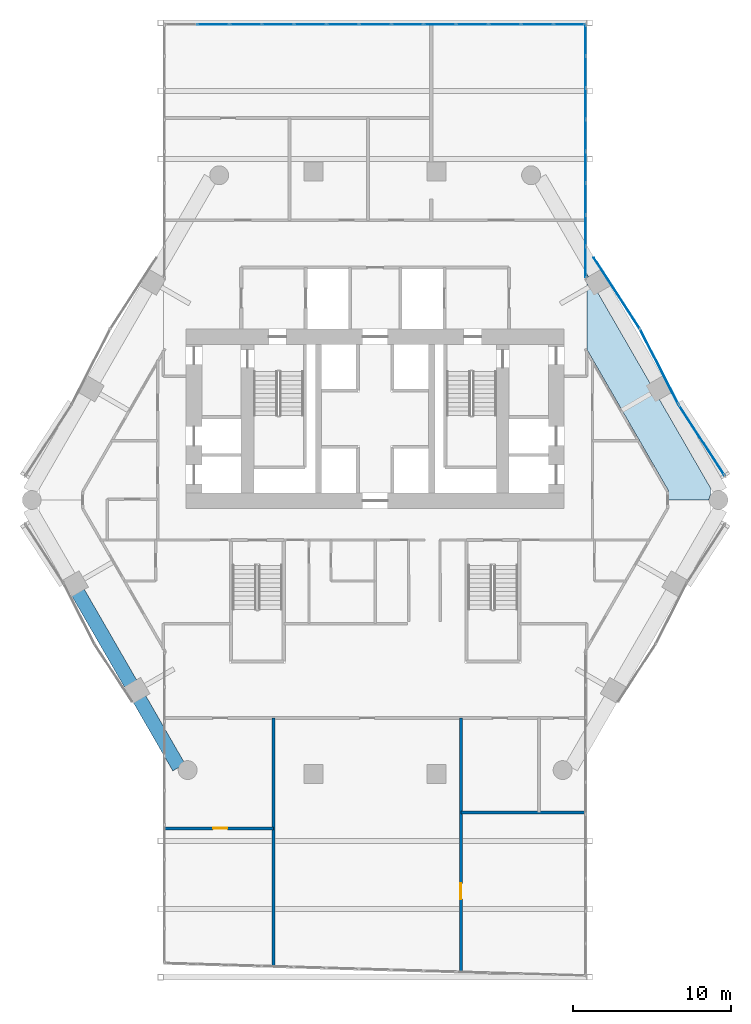
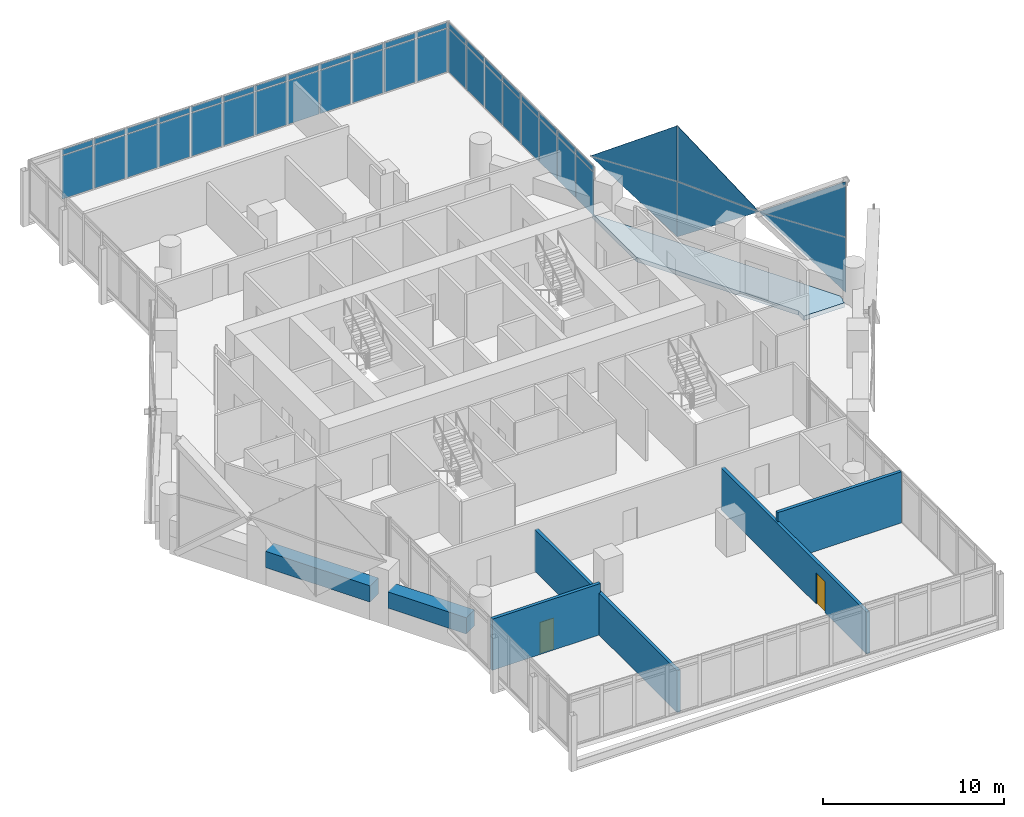
# One storey, part 26 of 36: 46 plates, 6 walls, 2 doors, 1 slab, 2 openings, 6 elements without a shape of their own.
"""IFC4 building model written with IfcOpenShell, lengths in metres."""

from ifc_helpers import new_model, si_unit, direction, frame, frame_2d, origin, origin_2d, place, context, subcontext, project, spatial, polyline, rectangle, outline, extrude, material, layer, layer_set, type_object, element, fill, aggregate, save


model = new_model("IFC4")

# Units and contexts
model_context = context("Model", 3, precision=1e-05, world=origin(), true_north=direction((0.0, 1.0)))
body_context = subcontext(model_context, "Body", "Model", "MODEL_VIEW")
ifc_project = project(units=[si_unit("LENGTHUNIT", "METRE"), si_unit("AREAUNIT", "SQUARE_METRE"), si_unit("VOLUMEUNIT", "CUBIC_METRE"), si_unit("PLANEANGLEUNIT", "RADIAN"), si_unit("MASSUNIT", "GRAM", prefix="KILO")], contexts=[model_context])

# Site, building, storey
site_placement = place(None, origin())
site = spatial("IfcSite", under=ifc_project, at=site_placement, CompositionType="ELEMENT")
building_placement = place(site_placement, origin())
building = spatial("IfcBuilding", under=site, at=building_placement, Name="Ostrander Bayou Hotel Tower", CompositionType="ELEMENT")
storey_placement = place(building_placement, frame((0.0, 0.0, 138.5)))
storey = spatial("IfcBuildingStorey", under=building, at=storey_placement, Name="L34", CompositionType="ELEMENT", Elevation=138.5)

# Curtain wall, plates
ifc_material_1 = material(Name="Aluminium and clear glass", Category="aluminium")
curtain_wall_type_1 = type_object("IfcCurtainWallType", Name="CW-BAR glazed wall", PredefinedType="NOTDEFINED", material=ifc_material_1)
curtain_wall_1_placement = place(storey_placement, origin())
curtain_wall_1 = element("IfcCurtainWall", 1, at=curtain_wall_1_placement, inside=storey, type_object=curtain_wall_type_1, Name="CW-BAR L34:SB3N:T", PredefinedType="NOTDEFINED")
ifc_material_2 = material(Name="Clear laminated glass", Category="glass")
ifc_layer_1 = layer(ifc_material_2, 0.028076171875)
ifc_layer_set_1 = layer_set([ifc_layer_1], Name="CW-BR glazing panel 28 mm")
plate_type_1 = type_object("IfcPlateType", Name="CW-BR glazing panel 28 mm", PredefinedType="CURTAIN_PANEL", material=ifc_layer_set_1)
plate_1_placement = place(storey_placement, frame((-10.282470703125, 29.037109375, 0.06005859375), z_axis=(0.0, 0.0, 1.0), x_axis=(1.0, 0.0, 0.0)))
plate_1 = element("IfcPlate", 2, at=plate_1_placement, type_object=plate_type_1, Name="CW-BAR panel 2.1", PredefinedType="CURTAIN_PANEL", context=body_context, shape_type="SweptSolid", body=[
    extrude(rectangle(XDim=1.99658203125, YDim=0.028076171875, at=origin_2d()), origin(), (0.0, 0.0, 1.0), 2.909912109375),
])
plate_2_placement = place(storey_placement, frame((-10.282470703125, 29.037109375, 3.02978515625), z_axis=(0.0, 0.0, 1.0), x_axis=(1.0, 0.0, 0.0)))
plate_2 = element("IfcPlate", 3, at=plate_2_placement, type_object=plate_type_1, Name="CW-BAR panel 2.2", PredefinedType="CURTAIN_PANEL", context=body_context, shape_type="SweptSolid", body=[
    extrude(rectangle(XDim=1.99658203125, YDim=0.028076171875, at=origin_2d()), origin(), (0.0, 0.0, 1.0), 0.360107421875),
])
plate_3_placement = place(storey_placement, frame((-8.22607421875, 29.037109375, 0.06005859375), z_axis=(0.0, 0.0, 1.0), x_axis=(1.0, 0.0, 0.0)))
plate_3 = element("IfcPlate", 4, at=plate_3_placement, type_object=plate_type_1, Name="CW-BAR panel 3.1", PredefinedType="CURTAIN_PANEL", context=body_context, shape_type="SweptSolid", body=[
    extrude(rectangle(XDim=1.99658203125, YDim=0.028076171875, at=origin_2d()), origin(), (0.0, 0.0, 1.0), 2.909912109375),
])
plate_4_placement = place(storey_placement, frame((-8.22607421875, 29.037109375, 3.02978515625), z_axis=(0.0, 0.0, 1.0), x_axis=(1.0, 0.0, 0.0)))
plate_4 = element("IfcPlate", 5, at=plate_4_placement, type_object=plate_type_1, Name="CW-BAR panel 3.2", PredefinedType="CURTAIN_PANEL", context=body_context, shape_type="SweptSolid", body=[
    extrude(rectangle(XDim=1.99658203125, YDim=0.028076171875, at=origin_2d()), origin(), (0.0, 0.0, 1.0), 0.360107421875),
])
plate_5_placement = place(storey_placement, frame((-6.16943359375, 29.037109375, 0.06005859375), z_axis=(0.0, 0.0, 1.0), x_axis=(1.0, 0.0, 0.0)))
plate_5 = element("IfcPlate", 6, at=plate_5_placement, type_object=plate_type_1, Name="CW-BAR panel 4.1", PredefinedType="CURTAIN_PANEL", context=body_context, shape_type="SweptSolid", body=[
    extrude(rectangle(XDim=1.99658203125, YDim=0.028076171875, at=origin_2d()), origin(), (0.0, 0.0, 1.0), 2.909912109375),
])
plate_6_placement = place(storey_placement, frame((-6.16943359375, 29.037109375, 3.02978515625), z_axis=(0.0, 0.0, 1.0), x_axis=(1.0, 0.0, 0.0)))
plate_6 = element("IfcPlate", 7, at=plate_6_placement, type_object=plate_type_1, Name="CW-BAR panel 4.2", PredefinedType="CURTAIN_PANEL", context=body_context, shape_type="SweptSolid", body=[
    extrude(rectangle(XDim=1.99658203125, YDim=0.028076171875, at=origin_2d()), origin(), (0.0, 0.0, 1.0), 0.360107421875),
])
plate_7_placement = place(storey_placement, frame((-4.113037109375, 29.037109375, 0.06005859375), z_axis=(0.0, 0.0, 1.0), x_axis=(1.0, 0.0, 0.0)))
plate_7 = element("IfcPlate", 8, at=plate_7_placement, type_object=plate_type_1, Name="CW-BAR panel 5.1", PredefinedType="CURTAIN_PANEL", context=body_context, shape_type="SweptSolid", body=[
    extrude(rectangle(XDim=1.99658203125, YDim=0.028076171875, at=origin_2d()), origin(), (0.0, 0.0, 1.0), 2.909912109375),
])
plate_8_placement = place(storey_placement, frame((-4.113037109375, 29.037109375, 3.02978515625), z_axis=(0.0, 0.0, 1.0), x_axis=(1.0, 0.0, 0.0)))
plate_8 = element("IfcPlate", 9, at=plate_8_placement, type_object=plate_type_1, Name="CW-BAR panel 5.2", PredefinedType="CURTAIN_PANEL", context=body_context, shape_type="SweptSolid", body=[
    extrude(rectangle(XDim=1.99658203125, YDim=0.028076171875, at=origin_2d()), origin(), (0.0, 0.0, 1.0), 0.360107421875),
])
plate_9_placement = place(storey_placement, frame((-2.056396484375, 29.037109375, 0.06005859375), z_axis=(0.0, 0.0, 1.0), x_axis=(1.0, 0.0, 0.0)))
plate_9 = element("IfcPlate", 10, at=plate_9_placement, type_object=plate_type_1, Name="CW-BAR panel 6.1", PredefinedType="CURTAIN_PANEL", context=body_context, shape_type="SweptSolid", body=[
    extrude(rectangle(XDim=1.99658203125, YDim=0.028076171875, at=origin_2d()), origin(), (0.0, 0.0, 1.0), 2.909912109375),
])
plate_10_placement = place(storey_placement, frame((-2.056396484375, 29.037109375, 3.02978515625), z_axis=(0.0, 0.0, 1.0), x_axis=(1.0, 0.0, 0.0)))
plate_10 = element("IfcPlate", 11, at=plate_10_placement, type_object=plate_type_1, Name="CW-BAR panel 6.2", PredefinedType="CURTAIN_PANEL", context=body_context, shape_type="SweptSolid", body=[
    extrude(rectangle(XDim=1.99658203125, YDim=0.028076171875, at=origin_2d()), origin(), (0.0, 0.0, 1.0), 0.360107421875),
])
plate_11_placement = place(storey_placement, frame((0.0, 29.037109375, 0.06005859375), z_axis=(0.0, 0.0, 1.0), x_axis=(1.0, 0.0, 0.0)))
plate_11 = element("IfcPlate", 12, at=plate_11_placement, type_object=plate_type_1, Name="CW-BAR panel 7.1", PredefinedType="CURTAIN_PANEL", context=body_context, shape_type="SweptSolid", body=[
    extrude(rectangle(XDim=1.99658203125, YDim=0.028076171875, at=origin_2d()), origin(), (0.0, 0.0, 1.0), 2.909912109375),
])
plate_12_placement = place(storey_placement, frame((0.0, 29.037109375, 3.02978515625), z_axis=(0.0, 0.0, 1.0), x_axis=(1.0, 0.0, 0.0)))
plate_12 = element("IfcPlate", 13, at=plate_12_placement, type_object=plate_type_1, Name="CW-BAR panel 7.2", PredefinedType="CURTAIN_PANEL", context=body_context, shape_type="SweptSolid", body=[
    extrude(rectangle(XDim=1.99658203125, YDim=0.028076171875, at=origin_2d()), origin(), (0.0, 0.0, 1.0), 0.360107421875),
])
plate_13_placement = place(storey_placement, frame((2.056396484375, 29.037109375, 0.06005859375), z_axis=(0.0, 0.0, 1.0), x_axis=(1.0, 0.0, 0.0)))
plate_13 = element("IfcPlate", 14, at=plate_13_placement, type_object=plate_type_1, Name="CW-BAR panel 8.1", PredefinedType="CURTAIN_PANEL", context=body_context, shape_type="SweptSolid", body=[
    extrude(rectangle(XDim=1.99658203125, YDim=0.028076171875, at=origin_2d()), origin(), (0.0, 0.0, 1.0), 2.909912109375),
])
plate_14_placement = place(storey_placement, frame((2.056396484375, 29.037109375, 3.02978515625), z_axis=(0.0, 0.0, 1.0), x_axis=(1.0, 0.0, 0.0)))
plate_14 = element("IfcPlate", 15, at=plate_14_placement, type_object=plate_type_1, Name="CW-BAR panel 8.2", PredefinedType="CURTAIN_PANEL", context=body_context, shape_type="SweptSolid", body=[
    extrude(rectangle(XDim=1.99658203125, YDim=0.028076171875, at=origin_2d()), origin(), (0.0, 0.0, 1.0), 0.360107421875),
])
plate_15_placement = place(storey_placement, frame((4.113037109375, 29.037109375, 0.06005859375), z_axis=(0.0, 0.0, 1.0), x_axis=(1.0, 0.0, 0.0)))
plate_15 = element("IfcPlate", 16, at=plate_15_placement, type_object=plate_type_1, Name="CW-BAR panel 9.1", PredefinedType="CURTAIN_PANEL", context=body_context, shape_type="SweptSolid", body=[
    extrude(rectangle(XDim=1.99658203125, YDim=0.028076171875, at=origin_2d()), origin(), (0.0, 0.0, 1.0), 2.909912109375),
])
plate_16_placement = place(storey_placement, frame((4.113037109375, 29.037109375, 3.02978515625), z_axis=(0.0, 0.0, 1.0), x_axis=(1.0, 0.0, 0.0)))
plate_16 = element("IfcPlate", 17, at=plate_16_placement, type_object=plate_type_1, Name="CW-BAR panel 9.2", PredefinedType="CURTAIN_PANEL", context=body_context, shape_type="SweptSolid", body=[
    extrude(rectangle(XDim=1.99658203125, YDim=0.028076171875, at=origin_2d()), origin(), (0.0, 0.0, 1.0), 0.360107421875),
])
plate_17_placement = place(storey_placement, frame((6.16943359375, 29.037109375, 0.06005859375), z_axis=(0.0, 0.0, 1.0), x_axis=(1.0, 0.0, 0.0)))
plate_17 = element("IfcPlate", 18, at=plate_17_placement, type_object=plate_type_1, Name="CW-BAR panel 10.1", PredefinedType="CURTAIN_PANEL", context=body_context, shape_type="SweptSolid", body=[
    extrude(rectangle(XDim=1.99658203125, YDim=0.028076171875, at=origin_2d()), origin(), (0.0, 0.0, 1.0), 2.909912109375),
])
plate_18_placement = place(storey_placement, frame((6.16943359375, 29.037109375, 3.02978515625), z_axis=(0.0, 0.0, 1.0), x_axis=(1.0, 0.0, 0.0)))
plate_18 = element("IfcPlate", 19, at=plate_18_placement, type_object=plate_type_1, Name="CW-BAR panel 10.2", PredefinedType="CURTAIN_PANEL", context=body_context, shape_type="SweptSolid", body=[
    extrude(rectangle(XDim=1.99658203125, YDim=0.028076171875, at=origin_2d()), origin(), (0.0, 0.0, 1.0), 0.360107421875),
])
plate_19_placement = place(storey_placement, frame((8.22607421875, 29.037109375, 0.06005859375), z_axis=(0.0, 0.0, 1.0), x_axis=(1.0, 0.0, 0.0)))
plate_19 = element("IfcPlate", 20, at=plate_19_placement, type_object=plate_type_1, Name="CW-BAR panel 11.1", PredefinedType="CURTAIN_PANEL", context=body_context, shape_type="SweptSolid", body=[
    extrude(rectangle(XDim=1.99658203125, YDim=0.028076171875, at=origin_2d()), origin(), (0.0, 0.0, 1.0), 2.909912109375),
])
plate_20_placement = place(storey_placement, frame((8.22607421875, 29.037109375, 3.02978515625), z_axis=(0.0, 0.0, 1.0), x_axis=(1.0, 0.0, 0.0)))
plate_20 = element("IfcPlate", 21, at=plate_20_placement, type_object=plate_type_1, Name="CW-BAR panel 11.2", PredefinedType="CURTAIN_PANEL", context=body_context, shape_type="SweptSolid", body=[
    extrude(rectangle(XDim=1.99658203125, YDim=0.028076171875, at=origin_2d()), origin(), (0.0, 0.0, 1.0), 0.360107421875),
])
plate_21_placement = place(storey_placement, frame((10.282470703125, 29.037109375, 0.06005859375), z_axis=(0.0, 0.0, 1.0), x_axis=(1.0, 0.0, 0.0)))
plate_21 = element("IfcPlate", 22, at=plate_21_placement, type_object=plate_type_1, Name="CW-BAR panel 12.1", PredefinedType="CURTAIN_PANEL", context=body_context, shape_type="SweptSolid", body=[
    extrude(rectangle(XDim=1.99658203125, YDim=0.028076171875, at=origin_2d()), origin(), (0.0, 0.0, 1.0), 2.909912109375),
])
plate_22_placement = place(storey_placement, frame((10.282470703125, 29.037109375, 3.02978515625), z_axis=(0.0, 0.0, 1.0), x_axis=(1.0, 0.0, 0.0)))
plate_22 = element("IfcPlate", 23, at=plate_22_placement, type_object=plate_type_1, Name="CW-BAR panel 12.2", PredefinedType="CURTAIN_PANEL", context=body_context, shape_type="SweptSolid", body=[
    extrude(rectangle(XDim=1.99658203125, YDim=0.028076171875, at=origin_2d()), origin(), (0.0, 0.0, 1.0), 0.360107421875),
])
plate_23_placement = place(storey_placement, frame((12.323974609375, 29.037109375, 0.06005859375), z_axis=(0.0, 0.0, 1.0), x_axis=(1.0, 0.0, 0.0)))
plate_23 = element("IfcPlate", 24, at=plate_23_placement, type_object=plate_type_1, Name="CW-BAR panel 13.1", PredefinedType="CURTAIN_PANEL", context=body_context, shape_type="SweptSolid", body=[
    extrude(rectangle(XDim=1.966552734375, YDim=0.028076171875, at=origin_2d()), origin(), (0.0, 0.0, 1.0), 2.909912109375),
])
plate_24_placement = place(storey_placement, frame((12.323974609375, 29.037109375, 3.02978515625), z_axis=(0.0, 0.0, 1.0), x_axis=(1.0, 0.0, 0.0)))
plate_24 = element("IfcPlate", 25, at=plate_24_placement, type_object=plate_type_1, Name="CW-BAR panel 13.2", PredefinedType="CURTAIN_PANEL", context=body_context, shape_type="SweptSolid", body=[
    extrude(rectangle(XDim=1.966552734375, YDim=0.028076171875, at=origin_2d()), origin(), (0.0, 0.0, 1.0), 0.360107421875),
])
aggregate(curtain_wall_1, [plate_1, plate_2, plate_3, plate_4, plate_5, plate_6, plate_7, plate_8, plate_9, plate_10, plate_11, plate_12, plate_13, plate_14, plate_15, plate_16, plate_17, plate_18, plate_19, plate_20, plate_21, plate_22, plate_23, plate_24])

curtain_wall_2_placement = place(storey_placement, origin())
curtain_wall_2 = element("IfcCurtainWall", 26, at=curtain_wall_2_placement, inside=storey, type_object=curtain_wall_type_1, Name="CW-BAR L34:SB3N:W", PredefinedType="NOTDEFINED")
plate_25_placement = place(storey_placement, frame((13.3671875, 13.943603515625, 0.06005859375), z_axis=(0.0, 0.0, 1.0), x_axis=(0.0, 1.0, 0.0)))
plate_25 = element("IfcPlate", 27, at=plate_25_placement, type_object=plate_type_1, Name="CW-BAR panel 1.1", PredefinedType="CURTAIN_PANEL", context=body_context, shape_type="SweptSolid", body=[
    extrude(rectangle(XDim=1.924560546875, YDim=0.028076171875, at=origin_2d()), origin(), (0.0, 0.0, 1.0), 2.909912109375),
])
plate_26_placement = place(storey_placement, frame((13.3671875, 13.943603515625, 3.02978515625), z_axis=(0.0, 0.0, 1.0), x_axis=(0.0, 1.0, 0.0)))
plate_26 = element("IfcPlate", 28, at=plate_26_placement, type_object=plate_type_1, Name="CW-BAR panel 1.2", PredefinedType="CURTAIN_PANEL", context=body_context, shape_type="SweptSolid", body=[
    extrude(rectangle(XDim=1.924560546875, YDim=0.028076171875, at=origin_2d()), origin(), (0.0, 0.0, 1.0), 0.360107421875),
])
plate_27_placement = place(storey_placement, frame((13.3671875, 15.943115234375, 0.06005859375), z_axis=(0.0, 0.0, 1.0), x_axis=(0.0, 1.0, 0.0)))
plate_27 = element("IfcPlate", 29, at=plate_27_placement, type_object=plate_type_1, Name="CW-BAR panel 2.1", PredefinedType="CURTAIN_PANEL", context=body_context, shape_type="SweptSolid", body=[
    extrude(rectangle(XDim=1.954345703125, YDim=0.028076171875, at=origin_2d()), origin(), (0.0, 0.0, 1.0), 2.909912109375),
])
plate_28_placement = place(storey_placement, frame((13.3671875, 15.943115234375, 3.02978515625), z_axis=(0.0, 0.0, 1.0), x_axis=(0.0, 1.0, 0.0)))
plate_28 = element("IfcPlate", 30, at=plate_28_placement, type_object=plate_type_1, Name="CW-BAR panel 2.2", PredefinedType="CURTAIN_PANEL", context=body_context, shape_type="SweptSolid", body=[
    extrude(rectangle(XDim=1.954345703125, YDim=0.028076171875, at=origin_2d()), origin(), (0.0, 0.0, 1.0), 0.360107421875),
])
plate_29_placement = place(storey_placement, frame((13.3671875, 17.95751953125, 0.06005859375), z_axis=(0.0, 0.0, 1.0), x_axis=(0.0, 1.0, 0.0)))
plate_29 = element("IfcPlate", 31, at=plate_29_placement, type_object=plate_type_1, Name="CW-BAR panel 3.1", PredefinedType="CURTAIN_PANEL", context=body_context, shape_type="SweptSolid", body=[
    extrude(rectangle(XDim=1.954345703125, YDim=0.028076171875, at=origin_2d()), origin(), (0.0, 0.0, 1.0), 2.909912109375),
])
plate_30_placement = place(storey_placement, frame((13.3671875, 17.95751953125, 3.02978515625), z_axis=(0.0, 0.0, 1.0), x_axis=(0.0, 1.0, 0.0)))
plate_30 = element("IfcPlate", 32, at=plate_30_placement, type_object=plate_type_1, Name="CW-BAR panel 3.2", PredefinedType="CURTAIN_PANEL", context=body_context, shape_type="SweptSolid", body=[
    extrude(rectangle(XDim=1.954345703125, YDim=0.028076171875, at=origin_2d()), origin(), (0.0, 0.0, 1.0), 0.360107421875),
])
plate_31_placement = place(storey_placement, frame((13.3671875, 19.97216796875, 0.06005859375), z_axis=(0.0, 0.0, 1.0), x_axis=(0.0, 1.0, 0.0)))
plate_31 = element("IfcPlate", 33, at=plate_31_placement, type_object=plate_type_1, Name="CW-BAR panel 4.1", PredefinedType="CURTAIN_PANEL", context=body_context, shape_type="SweptSolid", body=[
    extrude(rectangle(XDim=1.954345703125, YDim=0.028076171875, at=origin_2d()), origin(), (0.0, 0.0, 1.0), 2.909912109375),
])
plate_32_placement = place(storey_placement, frame((13.3671875, 19.97216796875, 3.02978515625), z_axis=(0.0, 0.0, 1.0), x_axis=(0.0, 1.0, 0.0)))
plate_32 = element("IfcPlate", 34, at=plate_32_placement, type_object=plate_type_1, Name="CW-BAR panel 4.2", PredefinedType="CURTAIN_PANEL", context=body_context, shape_type="SweptSolid", body=[
    extrude(rectangle(XDim=1.954345703125, YDim=0.028076171875, at=origin_2d()), origin(), (0.0, 0.0, 1.0), 0.360107421875),
])
plate_33_placement = place(storey_placement, frame((13.3671875, 21.986572265625, 0.06005859375), z_axis=(0.0, 0.0, 1.0), x_axis=(0.0, 1.0, 0.0)))
plate_33 = element("IfcPlate", 35, at=plate_33_placement, type_object=plate_type_1, Name="CW-BAR panel 5.1", PredefinedType="CURTAIN_PANEL", context=body_context, shape_type="SweptSolid", body=[
    extrude(rectangle(XDim=1.954345703125, YDim=0.028076171875, at=origin_2d()), origin(), (0.0, 0.0, 1.0), 2.909912109375),
])
plate_34_placement = place(storey_placement, frame((13.3671875, 21.986572265625, 3.02978515625), z_axis=(0.0, 0.0, 1.0), x_axis=(0.0, 1.0, 0.0)))
plate_34 = element("IfcPlate", 36, at=plate_34_placement, type_object=plate_type_1, Name="CW-BAR panel 5.2", PredefinedType="CURTAIN_PANEL", context=body_context, shape_type="SweptSolid", body=[
    extrude(rectangle(XDim=1.954345703125, YDim=0.028076171875, at=origin_2d()), origin(), (0.0, 0.0, 1.0), 0.360107421875),
])
plate_35_placement = place(storey_placement, frame((13.3671875, 24.0009765625, 0.06005859375), z_axis=(0.0, 0.0, 1.0), x_axis=(0.0, 1.0, 0.0)))
plate_35 = element("IfcPlate", 37, at=plate_35_placement, type_object=plate_type_1, Name="CW-BAR panel 6.1", PredefinedType="CURTAIN_PANEL", context=body_context, shape_type="SweptSolid", body=[
    extrude(rectangle(XDim=1.954345703125, YDim=0.028076171875, at=origin_2d()), origin(), (0.0, 0.0, 1.0), 2.909912109375),
])
plate_36_placement = place(storey_placement, frame((13.3671875, 24.0009765625, 3.02978515625), z_axis=(0.0, 0.0, 1.0), x_axis=(0.0, 1.0, 0.0)))
plate_36 = element("IfcPlate", 38, at=plate_36_placement, type_object=plate_type_1, Name="CW-BAR panel 6.2", PredefinedType="CURTAIN_PANEL", context=body_context, shape_type="SweptSolid", body=[
    extrude(rectangle(XDim=1.954345703125, YDim=0.028076171875, at=origin_2d()), origin(), (0.0, 0.0, 1.0), 0.360107421875),
])
plate_37_placement = place(storey_placement, frame((13.3671875, 26.015380859375, 0.06005859375), z_axis=(0.0, 0.0, 1.0), x_axis=(0.0, 1.0, 0.0)))
plate_37 = element("IfcPlate", 39, at=plate_37_placement, type_object=plate_type_1, Name="CW-BAR panel 7.1", PredefinedType="CURTAIN_PANEL", context=body_context, shape_type="SweptSolid", body=[
    extrude(rectangle(XDim=1.954345703125, YDim=0.028076171875, at=origin_2d()), origin(), (0.0, 0.0, 1.0), 2.909912109375),
])
plate_38_placement = place(storey_placement, frame((13.3671875, 26.015380859375, 3.02978515625), z_axis=(0.0, 0.0, 1.0), x_axis=(0.0, 1.0, 0.0)))
plate_38 = element("IfcPlate", 40, at=plate_38_placement, type_object=plate_type_1, Name="CW-BAR panel 7.2", PredefinedType="CURTAIN_PANEL", context=body_context, shape_type="SweptSolid", body=[
    extrude(rectangle(XDim=1.954345703125, YDim=0.028076171875, at=origin_2d()), origin(), (0.0, 0.0, 1.0), 0.360107421875),
])
plate_39_placement = place(storey_placement, frame((13.3671875, 28.014892578125, 0.06005859375), z_axis=(0.0, 0.0, 1.0), x_axis=(0.0, 1.0, 0.0)))
plate_39 = element("IfcPlate", 41, at=plate_39_placement, type_object=plate_type_1, Name="CW-BAR panel 8.1", PredefinedType="CURTAIN_PANEL", context=body_context, shape_type="SweptSolid", body=[
    extrude(rectangle(XDim=1.924560546875, YDim=0.028076171875, at=origin_2d()), origin(), (0.0, 0.0, 1.0), 2.909912109375),
])
plate_40_placement = place(storey_placement, frame((13.3671875, 28.014892578125, 3.02978515625), z_axis=(0.0, 0.0, 1.0), x_axis=(0.0, 1.0, 0.0)))
plate_40 = element("IfcPlate", 42, at=plate_40_placement, type_object=plate_type_1, Name="CW-BAR panel 8.2", PredefinedType="CURTAIN_PANEL", context=body_context, shape_type="SweptSolid", body=[
    extrude(rectangle(XDim=1.924560546875, YDim=0.028076171875, at=origin_2d()), origin(), (0.0, 0.0, 1.0), 0.360107421875),
])
aggregate(curtain_wall_2, [plate_25, plate_26, plate_27, plate_28, plate_29, plate_30, plate_31, plate_32, plate_33, plate_34, plate_35, plate_36, plate_37, plate_38, plate_39, plate_40])

# Curtain wall, plate
ifc_material_3 = material(Name="Aluminium and clear glass", Category="aluminium")
curtain_wall_type_2 = type_object("IfcCurtainWallType", Name="CW-LAT lattice glazing", PredefinedType="NOTDEFINED", material=ifc_material_3)
curtain_wall_3_placement = place(storey_placement, origin())
curtain_wall_3 = element("IfcCurtainWall", 43, at=curtain_wall_3_placement, inside=storey, type_object=curtain_wall_type_2, Name="CW-LAT L34 NE 3", PredefinedType="NOTDEFINED")
ifc_material_4 = material(Name="Clear laminated glass", Category="glass")
ifc_layer_2 = layer(ifc_material_4, 0.028076171875)
ifc_layer_set_2 = layer_set([ifc_layer_2], Name="CW-LA glazing panel 28 mm")
plate_type_2 = type_object("IfcPlateType", Name="CW-LA glazing panel 28 mm", PredefinedType="CURTAIN_PANEL", material=ifc_layer_set_2)
plate_41_placement = place(storey_placement, frame((19.256591796875, 4.909912109375, 3.14990234375), z_axis=(-0.838660099013, -0.544655155418, 0.0), x_axis=(0.44691616916, -0.688161591696, -0.571576382872)))
plate_41 = element("IfcPlate", 44, at=plate_41_placement, type_object=plate_type_2, Name="CW-LAT panel 1", PredefinedType="CURTAIN_PANEL", context=body_context, shape_type="SweptSolid", body=[
    extrude(outline(polyline([(0.0, 0.0), (6.560802916935932, -4.440892098500626e-16), (4.417391481164964, 3.0770582407562967), (0.0, 0.0)])), origin(), (0.0, 0.0, -1.0), 0.028076171875),
])

curtain_wall_4_placement = place(storey_placement, origin())
curtain_wall_4 = element("IfcCurtainWall", 45, at=curtain_wall_4_placement, inside=storey, type_object=curtain_wall_type_2, Name="CW-LAT L34 NE 4", PredefinedType="NOTDEFINED")
plate_42_placement = place(storey_placement, frame((19.256591796875, 4.909912109375, 3.14990234375), z_axis=(0.838660099013, 0.544655155418, 0.0), x_axis=(0.44691616916, -0.688161591696, 0.571576382872)))
plate_42 = element("IfcPlate", 46, at=plate_42_placement, type_object=plate_type_2, Name="CW-LAT panel 2", PredefinedType="CURTAIN_PANEL", context=body_context, shape_type="SweptSolid", body=[
    extrude(outline(polyline([(0.0, 0.0), (6.560802916935932, -4.440892098500626e-16), (4.417391481164964, 3.0770582407562967), (0.0, 0.0)])), origin(), (0.0, 0.0, -1.0), 0.028076171875),
])

curtain_wall_5_placement = place(storey_placement, origin())
curtain_wall_5 = element("IfcCurtainWall", 47, at=curtain_wall_5_placement, inside=storey, type_object=curtain_wall_type_2, Name="CW-LAT L34 NE 1", PredefinedType="NOTDEFINED")
plate_43_placement = place(storey_placement, frame((19.256591796875, 4.909912109375, 3.14990234375), z_axis=(0.891009386399, 0.45398488229, 0.0), x_axis=(-0.372520893662, 0.731124814571, -0.571563372955)))
plate_43 = element("IfcPlate", 48, at=plate_43_placement, type_object=plate_type_2, Name="CW-LAT panel 3", PredefinedType="CURTAIN_PANEL", context=body_context, shape_type="SweptSolid", body=[
    extrude(outline(polyline([(0.0, 0.0), (6.5609522538406475, 0.0), (4.417589605260466, 3.077092224271374), (0.0, 0.0)])), origin(), (0.0, 0.0, -1.0), 0.028076171875),
])
aggregate(curtain_wall_5, [plate_43])

curtain_wall_6_placement = place(storey_placement, origin())
curtain_wall_6 = element("IfcCurtainWall", 49, at=curtain_wall_6_placement, inside=storey, type_object=curtain_wall_type_2, Name="CW-LAT L34 NE 2", PredefinedType="NOTDEFINED")
plate_44_placement = place(storey_placement, frame((19.256591796875, 4.909912109375, 3.14990234375), z_axis=(-0.891009386399, -0.45398488229, 0.0), x_axis=(-0.372520893662, 0.731124814571, 0.571563372955)))
plate_44 = element("IfcPlate", 50, at=plate_44_placement, type_object=plate_type_2, Name="CW-LAT panel 4", PredefinedType="CURTAIN_PANEL", context=body_context, shape_type="SweptSolid", body=[
    extrude(outline(polyline([(0.0, 0.0), (6.5609522538406475, 0.0), (4.417589605260466, 3.077092224271374), (0.0, 0.0)])), origin(), (0.0, 0.0, -1.0), 0.028076171875),
])
aggregate(curtain_wall_6, [plate_44])

# Plate
plate_45_placement = place(storey_placement, frame((13.880615234375, 14.2216796875, 3.14990234375), z_axis=(-0.838680813979, -0.544623257182, 0.0), x_axis=(0.446886388918, -0.688173036077, -0.571585888398)))
plate_45 = element("IfcPlate", 51, at=plate_45_placement, type_object=plate_type_2, Name="CW-LAT panel 5", PredefinedType="CURTAIN_PANEL", context=body_context, shape_type="SweptSolid", body=[
    extrude(outline(polyline([(0.0, 0.0), (6.560693810178323, 4.440892098500626e-16), (4.417246728684701, 3.077033410419275), (0.0, 0.0)])), origin(), (0.0, 0.0, -1.0), 0.028076171875),
])

aggregate(curtain_wall_3, [plate_41, plate_45])

plate_46_placement = place(storey_placement, frame((13.880615234375, 14.2216796875, 3.14990234375), z_axis=(0.838680813979, 0.544623257182, 0.0), x_axis=(0.446886388918, -0.688173036077, 0.571585888398)))
plate_46 = element("IfcPlate", 52, at=plate_46_placement, type_object=plate_type_2, Name="CW-LAT panel 6", PredefinedType="CURTAIN_PANEL", context=body_context, shape_type="SweptSolid", body=[
    extrude(outline(polyline([(0.0, 0.0), (6.560693810178323, 4.440892098500626e-16), (4.417246728684701, 3.077033410419275), (0.0, 0.0)])), origin(), (0.0, 0.0, -1.0), 0.028076171875),
])

aggregate(curtain_wall_4, [plate_42, plate_46])

# Slab
ifc_material_5 = material(Name="Concrete f'c 40 MPa", Category="concrete")
ifc_layer_3 = layer(ifc_material_5, 0.300048828125)
ifc_layer_set_3 = layer_set([ifc_layer_3], Name="SL4 loggia slab 300 mm f'c 40 MPa")
slab_type = type_object("IfcSlabType", Name="SL4 loggia slab 300 mm f'c 40 MPa", PredefinedType="FLOOR", material=ifc_layer_set_3)
slab_placement = place(storey_placement, frame((0.0, 0.0, -0.300048828125)))
element("IfcSlab", 53, at=slab_placement, inside=storey, type_object=slab_type, Name="SL4 LOGGIA L34 NE 1", PredefinedType="FLOOR", context=body_context, shape_type="SweptSolid", body=[
    extrude(outline(polyline([(13.442138671875, 13.20458984375), (13.56103515625, 12.998779296875), (14.485107421875, 11.39794921875), (17.4677734375, 6.232177734375), (18.03759765625, 5.244873046875), (21.300537109375, -0.406494140625), (21.300537109375, -0.826904296875), (21.2470703125, -0.927001953125), (21.212890625, -1.039306640625), (21.201416015625, -1.156494140625), (18.61572265625, -1.156494140625), (18.61572265625, -0.556396484375), (13.442138671875, 8.404541015625), (13.442138671875, 13.20458984375)])), origin(), (0.0, 0.0, 1.0), 0.300048828125),
])

# Walls
ifc_material_6 = material(Name="Limestone masonry", Category="masonry")
ifc_layer_4 = layer(ifc_material_6, 0.89990234375)
ifc_layer_set_4 = layer_set([ifc_layer_4], Name="PA2 limestone parapet 900 mm")
wall_type_1 = type_object("IfcWallType", Name="PA2 limestone parapet 900 mm", PredefinedType="PARAPET", material=ifc_layer_set_4)
wall_1_placement = place(storey_placement, frame((-18.85888671875, -7.035400390625, 0.0), z_axis=(0.0, 0.0, 1.0), x_axis=(0.499999023957, -0.866025967302, 0.0)))
element("IfcWall", 54, at=wall_1_placement, inside=storey, type_object=wall_type_1, Name="PA2 L34 SW-2", PredefinedType="PARAPET", context=body_context, shape_type="SweptSolid", body=[
    extrude(rectangle(XDim=6.67333984375, YDim=0.89990234375, at=frame_2d((3.336669921875, 0.0))), origin(), (0.0, 0.0, 1.0), 1.10009765625),
])
wall_2_placement = place(storey_placement, frame((-14.9521484375, -13.802001953125, 0.0), z_axis=(0.0, 0.0, 1.0), x_axis=(0.499974782844, -0.866039962427, 0.0)))
element("IfcWall", 55, at=wall_2_placement, inside=storey, type_object=wall_type_1, Name="PA2 L34 SW-3", PredefinedType="PARAPET", context=body_context, shape_type="SweptSolid", body=[
    extrude(rectangle(XDim=4.997314453125, YDim=0.89990234375, at=frame_2d((2.49853515625, 0.0))), origin(), (0.0, 0.0, 1.0), 1.10009765625),
])

# Wall, opening, door
ifc_material_7 = material(Name="Gypsum board partition", Category="finish")
ifc_layer_5 = layer(ifc_material_7, 0.199951171875)
ifc_layer_set_5 = layer_set([ifc_layer_5], Name="PT3 demising wall 200 mm acoustic double stud, 1 hour")
wall_type_2 = type_object("IfcWallType", Name="PT3 demising wall 200 mm acoustic double stud, 1 hour", PredefinedType="PARTITIONING", material=ifc_layer_set_5)
wall_3_placement = place(storey_placement, frame((-13.34814453125, -22.0, 0.0), z_axis=(0.0, 0.0, 1.0), x_axis=(1.0, 0.0, 0.0)))
wall_3 = element("IfcWall", 56, at=wall_3_placement, inside=storey, type_object=wall_type_2, Name="sw:L34:502", PredefinedType="PARTITIONING", context=body_context, shape_type="SweptSolid", body=[
    extrude(rectangle(XDim=6.906005859375, YDim=0.199951171875, at=frame_2d((3.453125, 0.0))), origin(), (0.0, 0.0, 1.0), 3.449951171875),
])
opening_1_placement = place(wall_3_placement, frame((3.071044921875, 0.0, 0.0)))
opening_1 = element("IfcOpeningElement", 57, at=opening_1_placement, cuts=wall_3, Name="Opening T34-1201", PredefinedType="OPENING", context=body_context, shape_type="SweptSolid", body=[
    extrude(rectangle(XDim=0.89990234375, YDim=2.10009765625, at=frame_2d((0.449951171875, 1.050048828125))), frame((0.0, 0.10009765625, 0.0), z_axis=(0.0, -1.0, 0.0), x_axis=(1.0, 0.0, 0.0)), (0.0, 0.0, 1.0), 0.199951171875),
])
ifc_material_8 = material(Name="Timber door leaf", Category="wood")
door_type_1 = type_object("IfcDoorType", Name="D8 room door 900 x 2100 mm", OperationType="SINGLE_SWING_LEFT", PredefinedType="DOOR", material=ifc_material_8)
door_1_placement = place(opening_1_placement, origin())
door_1 = element("IfcDoor", 58, at=door_1_placement, inside=storey, type_object=door_type_1, Name="dr:L34:1201", OperationType="SINGLE_SWING_LEFT", OverallHeight=2.10009765625, OverallWidth=0.89990234375, PredefinedType="DOOR", context=body_context, shape_type="SweptSolid", body=[
    extrude(rectangle(XDim=0.89990234375, YDim=2.10009765625, at=frame_2d((0.449951171875, 1.050048828125))), frame((0.0, 0.02490234375, 0.0), z_axis=(0.0, -1.0, 0.0), x_axis=(1.0, 0.0, 0.0)), (0.0, 0.0, 1.0), 0.050048828125),
])
fill(opening_1, door_1)

# Walls
wall_4_placement = place(storey_placement, frame((5.442138671875, -21.0, 0.0), z_axis=(0.0, 0.0, 1.0), x_axis=(1.0, 0.0, 0.0)))
element("IfcWall", 59, at=wall_4_placement, inside=storey, type_object=wall_type_2, Name="sw:L34:503", PredefinedType="PARTITIONING", context=body_context, shape_type="SweptSolid", body=[
    extrude(rectangle(XDim=7.906005859375, YDim=0.199951171875, at=frame_2d((3.953125, 0.0))), origin(), (0.0, 0.0, 1.0), 3.449951171875),
])
wall_5_placement = place(storey_placement, frame((-6.44189453125, -30.7392578125, 0.0), z_axis=(0.0, 0.0, 1.0), x_axis=(0.0, 1.0, 0.0)))
element("IfcWall", 60, at=wall_5_placement, inside=storey, type_object=wall_type_2, Name="sw:L34:505", PredefinedType="PARTITIONING", context=body_context, shape_type="SweptSolid", body=[
    extrude(rectangle(XDim=15.7392578125, YDim=0.199951171875, at=frame_2d((7.86962890625, 0.0))), origin(), (0.0, 0.0, 1.0), 2.828125),
])

# Wall, opening, door
wall_6_placement = place(storey_placement, frame((5.44189453125, -31.093017578125, 0.0), z_axis=(0.0, 0.0, 1.0), x_axis=(0.0, 1.0, 0.0)))
wall_6 = element("IfcWall", 61, at=wall_6_placement, inside=storey, type_object=wall_type_2, Name="sw:L34:510", PredefinedType="PARTITIONING", context=body_context, shape_type="SweptSolid", body=[
    extrude(rectangle(XDim=16.093017578125, YDim=0.199951171875, at=frame_2d((8.04638671875, 0.0))), origin(), (0.0, 0.0, 1.0), 2.828125),
])
opening_2_placement = place(wall_6_placement, frame((4.60205078125, 0.0, 0.0)))
opening_2 = element("IfcOpeningElement", 62, at=opening_2_placement, cuts=wall_6, Name="Opening T34-1202", PredefinedType="OPENING", context=body_context, shape_type="SweptSolid", body=[
    extrude(rectangle(XDim=1.0, YDim=2.10009765625, at=frame_2d((0.5, 1.050048828125))), frame((0.0, 0.10009765625, 0.0), z_axis=(0.0, -1.0, 0.0), x_axis=(1.0, 0.0, 0.0)), (0.0, 0.0, 1.0), 0.199951171875),
])
ifc_material_9 = material(Name="Timber door leaf", Category="wood")
door_type_2 = type_object("IfcDoorType", Name="D9 service door 1000 x 2100 mm, 30 minute", OperationType="SINGLE_SWING_LEFT", PredefinedType="DOOR", material=ifc_material_9)
door_2_placement = place(opening_2_placement, origin())
door_2 = element("IfcDoor", 63, at=door_2_placement, inside=storey, type_object=door_type_2, Name="dr:L34:1202", OperationType="SINGLE_SWING_RIGHT", OverallHeight=2.10009765625, OverallWidth=1.0, PredefinedType="DOOR", context=body_context, shape_type="SweptSolid", body=[
    extrude(rectangle(XDim=1.0, YDim=2.10009765625, at=frame_2d((0.5, 1.050048828125))), frame((0.0, 0.02490234375, 0.0), z_axis=(0.0, -1.0, 0.0), x_axis=(1.0, 0.0, 0.0)), (0.0, 0.0, 1.0), 0.050048828125),
])
fill(opening_2, door_2)

save(model, "model.ifc")
